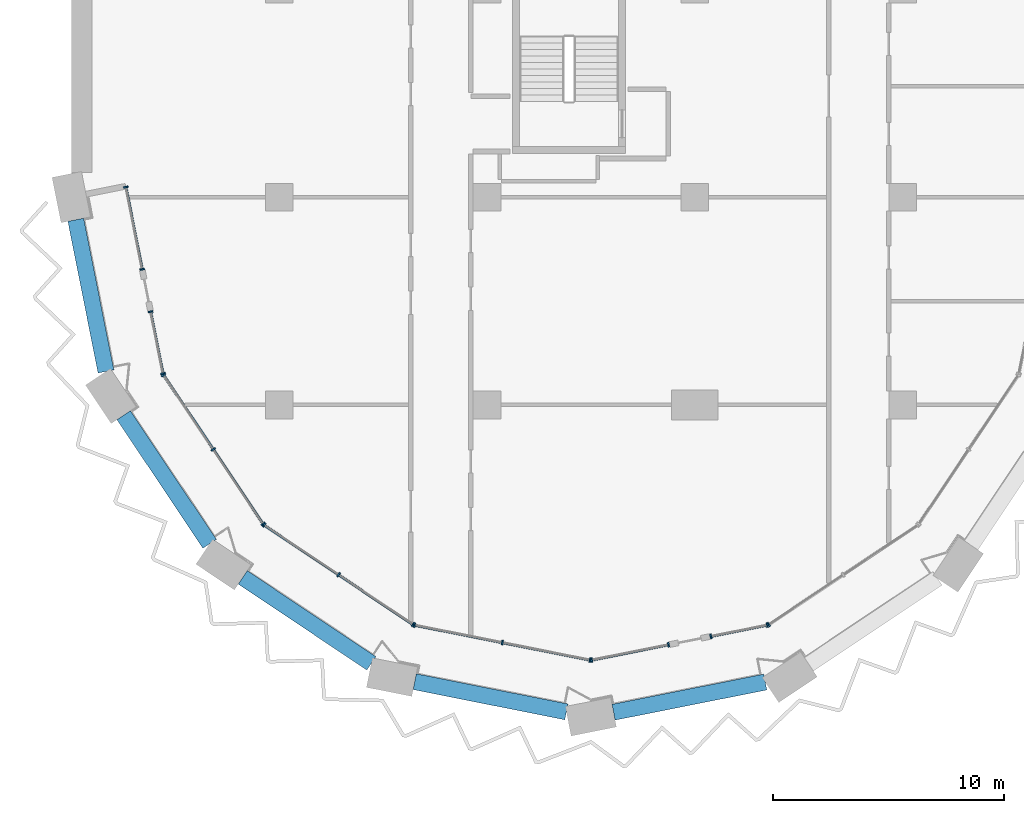
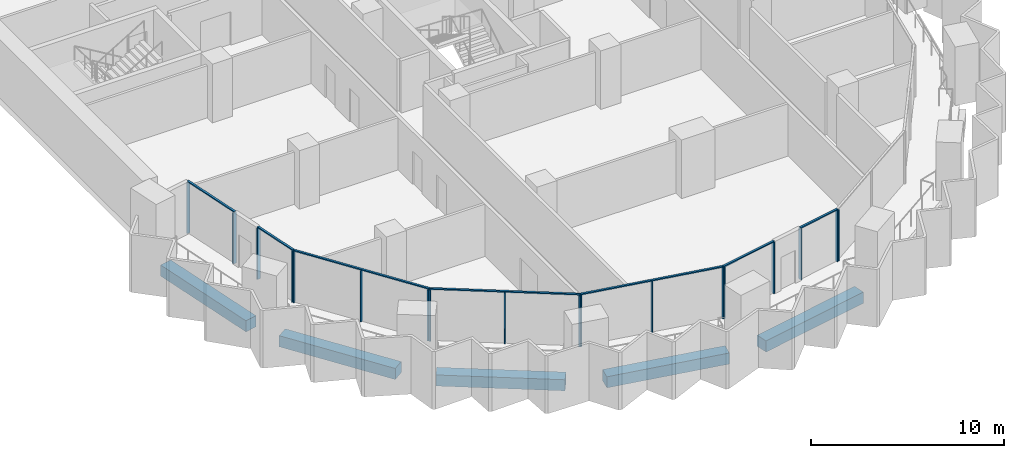
# One storey, part 2 of 22: 25 members, 5 beams, 8 elements without a shape of their own.
"""IFC4 building model written with IfcOpenShell, lengths in metres."""

from ifc_helpers import new_model, si_unit, direction, frame, origin, origin_2d, place, context, subcontext, project, spatial, rectangle, extrude, material, material_profile, profile_set, type_object, element, aggregate, save


model = new_model("IFC4")

# Units and contexts
model_context = context("Model", 3, precision=1e-05, world=origin(), true_north=direction((0.0, 1.0)))
body_context = subcontext(model_context, "Body", "Model", "MODEL_VIEW")
ifc_project = project(units=[si_unit("LENGTHUNIT", "METRE"), si_unit("AREAUNIT", "SQUARE_METRE"), si_unit("VOLUMEUNIT", "CUBIC_METRE"), si_unit("PLANEANGLEUNIT", "RADIAN"), si_unit("MASSUNIT", "GRAM", prefix="KILO")], contexts=[model_context])

# Site, building, storey
site_placement = place(None, origin())
site = spatial("IfcSite", under=ifc_project, at=site_placement, CompositionType="ELEMENT")
building_placement = place(site_placement, origin())
building = spatial("IfcBuilding", under=site, at=building_placement, Name="Hunhe Ridgeline Campus", CompositionType="ELEMENT")
storey_placement = place(building_placement, frame((0.0, 0.0, 141.199951171875)))
storey = spatial("IfcBuildingStorey", under=building, at=storey_placement, Name="L35", CompositionType="ELEMENT", Elevation=141.199951171875)

# Curtain wall, members
ifc_material_1 = material(Name="Aluminium 6063", Category="aluminium")
curtain_wall_type = type_object("IfcCurtainWallType", Name="Curtain wall CW-5", PredefinedType="NOTDEFINED", material=ifc_material_1)
curtain_wall_1_placement = place(storey_placement, origin())
curtain_wall_1 = element("IfcCurtainWall", 1, at=curtain_wall_1_placement, inside=storey, type_object=curtain_wall_type, Name="Curtain wall 01", PredefinedType="NOTDEFINED")
ifc_material_profile_1 = material_profile(ifc_material_1, rectangle(XDim=0.199951171875, YDim=0.070068359375, at=origin_2d()))
ifc_profile_set_1 = profile_set([ifc_material_profile_1], Name="Aluminium 6063")
member_type_1 = type_object("IfcMemberType", Name="CW-5 aluminium mullion", PredefinedType="MULLION", material=ifc_profile_set_1)
member_1_placement = place(storey_placement, frame((2.361572265625, 27.434326171875, 0.0), z_axis=(0.0, 0.0, 1.0), x_axis=(0.980784284924, 0.195095326561, 0.0)))
member_1 = element("IfcMember", 2, at=member_1_placement, type_object=member_type_1, Name="CW-5 mullion 1", PredefinedType="MULLION", context=body_context, shape_type="SweptSolid", body=[
    extrude(rectangle(XDim=0.199951171875, YDim=0.070068359375, at=origin_2d()), origin(), (0.0, 0.0, 1.0), 3.22998046875),
])
member_2_placement = place(storey_placement, frame((3.070068359375, 23.873291015625, 0.0), z_axis=(0.0, 0.0, 1.0), x_axis=(0.980784284924, 0.195095326561, 0.0)))
member_2 = element("IfcMember", 3, at=member_2_placement, type_object=member_type_1, Name="CW-5 mullion 2", PredefinedType="MULLION", context=body_context, shape_type="SweptSolid", body=[
    extrude(rectangle(XDim=0.199951171875, YDim=0.070068359375, at=origin_2d()), origin(), (0.0, 0.0, 1.0), 3.22998046875),
])

curtain_wall_2_placement = place(storey_placement, origin())
curtain_wall_2 = element("IfcCurtainWall", 4, at=curtain_wall_2_placement, inside=storey, type_object=curtain_wall_type, Name="Curtain wall 02", PredefinedType="NOTDEFINED")
member_3_placement = place(storey_placement, frame((3.434814453125, 22.0390625, 0.0), z_axis=(0.0, 0.0, 1.0), x_axis=(0.980784297053, 0.195095265587, 0.0)))
member_3 = element("IfcMember", 5, at=member_3_placement, type_object=member_type_1, Name="CW-5 mullion 1", PredefinedType="MULLION", context=body_context, shape_type="SweptSolid", body=[
    extrude(rectangle(XDim=0.199951171875, YDim=0.070068359375, at=origin_2d()), origin(), (0.0, 0.0, 1.0), 3.22998046875),
])
member_4_placement = place(storey_placement, frame((3.967529296875, 19.36083984375, 0.0), z_axis=(0.0, 0.0, 1.0), x_axis=(0.980784297053, 0.195095265587, 0.0)))
member_4 = element("IfcMember", 6, at=member_4_placement, type_object=member_type_1, Name="CW-5 mullion 2", PredefinedType="MULLION", context=body_context, shape_type="SweptSolid", body=[
    extrude(rectangle(XDim=0.199951171875, YDim=0.070068359375, at=origin_2d()), origin(), (0.0, 0.0, 1.0), 3.22998046875),
])

curtain_wall_3_placement = place(storey_placement, origin())
curtain_wall_3 = element("IfcCurtainWall", 7, at=curtain_wall_3_placement, inside=storey, type_object=curtain_wall_type, Name="Curtain wall 03", PredefinedType="NOTDEFINED")
member_5_placement = place(storey_placement, frame((3.993896484375, 19.29736328125, 0.0), z_axis=(0.0, 0.0, 1.0), x_axis=(0.831469584522, 0.555570274596, 0.0)))
member_5 = element("IfcMember", 8, at=member_5_placement, type_object=member_type_1, Name="CW-5 mullion 1", PredefinedType="MULLION", context=body_context, shape_type="SweptSolid", body=[
    extrude(rectangle(XDim=0.199951171875, YDim=0.070068359375, at=origin_2d()), origin(), (0.0, 0.0, 1.0), 3.22998046875),
])
member_6_placement = place(storey_placement, frame((6.147705078125, 16.07373046875, 0.0), z_axis=(0.0, 0.0, 1.0), x_axis=(0.831469584522, 0.555570274596, 0.0)))
member_6 = element("IfcMember", 9, at=member_6_placement, type_object=member_type_1, Name="CW-5 mullion 2", PredefinedType="MULLION", context=body_context, shape_type="SweptSolid", body=[
    extrude(rectangle(XDim=0.199951171875, YDim=0.070068359375, at=origin_2d()), origin(), (0.0, 0.0, 1.0), 3.22998046875),
])
member_7_placement = place(storey_placement, frame((8.3017578125, 12.850341796875, 0.0), z_axis=(0.0, 0.0, 1.0), x_axis=(0.831469584522, 0.555570274596, 0.0)))
member_7 = element("IfcMember", 10, at=member_7_placement, type_object=member_type_1, Name="CW-5 mullion 3", PredefinedType="MULLION", context=body_context, shape_type="SweptSolid", body=[
    extrude(rectangle(XDim=0.199951171875, YDim=0.070068359375, at=origin_2d()), origin(), (0.0, 0.0, 1.0), 3.22998046875),
])

curtain_wall_4_placement = place(storey_placement, origin())
curtain_wall_4 = element("IfcCurtainWall", 11, at=curtain_wall_4_placement, inside=storey, type_object=curtain_wall_type, Name="Curtain wall 04", PredefinedType="NOTDEFINED")
member_8_placement = place(storey_placement, frame((8.350341796875, 12.8017578125, 0.0), z_axis=(0.0, 0.0, 1.0), x_axis=(0.555570274596, 0.831469584522, 0.0)))
member_8 = element("IfcMember", 12, at=member_8_placement, type_object=member_type_1, Name="CW-5 mullion 1", PredefinedType="MULLION", context=body_context, shape_type="SweptSolid", body=[
    extrude(rectangle(XDim=0.199951171875, YDim=0.070068359375, at=origin_2d()), origin(), (0.0, 0.0, 1.0), 3.22998046875),
])
member_9_placement = place(storey_placement, frame((11.57373046875, 10.647705078125, 0.0), z_axis=(0.0, 0.0, 1.0), x_axis=(0.555570274596, 0.831469584522, 0.0)))
member_9 = element("IfcMember", 13, at=member_9_placement, type_object=member_type_1, Name="CW-5 mullion 2", PredefinedType="MULLION", context=body_context, shape_type="SweptSolid", body=[
    extrude(rectangle(XDim=0.199951171875, YDim=0.070068359375, at=origin_2d()), origin(), (0.0, 0.0, 1.0), 3.22998046875),
])
member_10_placement = place(storey_placement, frame((14.79736328125, 8.493896484375, 0.0), z_axis=(0.0, 0.0, 1.0), x_axis=(0.555570274596, 0.831469584522, 0.0)))
member_10 = element("IfcMember", 14, at=member_10_placement, type_object=member_type_1, Name="CW-5 mullion 3", PredefinedType="MULLION", context=body_context, shape_type="SweptSolid", body=[
    extrude(rectangle(XDim=0.199951171875, YDim=0.070068359375, at=origin_2d()), origin(), (0.0, 0.0, 1.0), 3.22998046875),
])

curtain_wall_5_placement = place(storey_placement, origin())
curtain_wall_5 = element("IfcCurtainWall", 15, at=curtain_wall_5_placement, inside=storey, type_object=curtain_wall_type, Name="Curtain wall 05", PredefinedType="NOTDEFINED")
member_11_placement = place(storey_placement, frame((14.86083984375, 8.467529296875, 0.0), z_axis=(0.0, 0.0, 1.0), x_axis=(0.195090347539, 0.980785275326, 0.0)))
member_11 = element("IfcMember", 16, at=member_11_placement, type_object=member_type_1, Name="CW-5 mullion 1", PredefinedType="MULLION", context=body_context, shape_type="SweptSolid", body=[
    extrude(rectangle(XDim=0.199951171875, YDim=0.070068359375, at=origin_2d()), origin(), (0.0, 0.0, 1.0), 3.22998046875),
])
member_12_placement = place(storey_placement, frame((18.663330078125, 7.711181640625, 0.0), z_axis=(0.0, 0.0, 1.0), x_axis=(0.195090347539, 0.980785275326, 0.0)))
member_12 = element("IfcMember", 17, at=member_12_placement, type_object=member_type_1, Name="CW-5 mullion 2", PredefinedType="MULLION", context=body_context, shape_type="SweptSolid", body=[
    extrude(rectangle(XDim=0.199951171875, YDim=0.070068359375, at=origin_2d()), origin(), (0.0, 0.0, 1.0), 3.22998046875),
])
member_13_placement = place(storey_placement, frame((22.465576171875, 6.954833984375, 0.0), z_axis=(0.0, 0.0, 1.0), x_axis=(0.195090347539, 0.980785275326, 0.0)))
member_13 = element("IfcMember", 18, at=member_13_placement, type_object=member_type_1, Name="CW-5 mullion 3", PredefinedType="MULLION", context=body_context, shape_type="SweptSolid", body=[
    extrude(rectangle(XDim=0.199951171875, YDim=0.070068359375, at=origin_2d()), origin(), (0.0, 0.0, 1.0), 3.22998046875),
])

curtain_wall_6_placement = place(storey_placement, origin())
curtain_wall_6 = element("IfcCurtainWall", 19, at=curtain_wall_6_placement, inside=storey, type_object=curtain_wall_type, Name="Curtain wall 06", PredefinedType="NOTDEFINED")
member_14_placement = place(storey_placement, frame((22.534423828125, 6.954833984375, 0.0), z_axis=(0.0, 0.0, 1.0), x_axis=(-0.19509037034, 0.980785270791, 0.0)))
member_14 = element("IfcMember", 20, at=member_14_placement, type_object=member_type_1, Name="CW-5 mullion 1", PredefinedType="MULLION", context=body_context, shape_type="SweptSolid", body=[
    extrude(rectangle(XDim=0.199951171875, YDim=0.070068359375, at=origin_2d()), origin(), (0.0, 0.0, 1.0), 3.22998046875),
])
member_15_placement = place(storey_placement, frame((25.861083984375, 7.61669921875, 0.0), z_axis=(0.0, 0.0, 1.0), x_axis=(-0.19509037034, 0.980785270791, 0.0)))
member_15 = element("IfcMember", 21, at=member_15_placement, type_object=member_type_1, Name="CW-5 mullion 2", PredefinedType="MULLION", context=body_context, shape_type="SweptSolid", body=[
    extrude(rectangle(XDim=0.199951171875, YDim=0.070068359375, at=origin_2d()), origin(), (0.0, 0.0, 1.0), 3.22998046875),
])

curtain_wall_7_placement = place(storey_placement, origin())
curtain_wall_7 = element("IfcCurtainWall", 22, at=curtain_wall_7_placement, inside=storey, type_object=curtain_wall_type, Name="Curtain wall 07", PredefinedType="NOTDEFINED")
member_16_placement = place(storey_placement, frame((27.695068359375, 7.9814453125, 0.0), z_axis=(0.0, 0.0, 1.0), x_axis=(-0.195090514627, 0.980785242091, 0.0)))
member_16 = element("IfcMember", 23, at=member_16_placement, type_object=member_type_1, Name="CW-5 mullion 1", PredefinedType="MULLION", context=body_context, shape_type="SweptSolid", body=[
    extrude(rectangle(XDim=0.199951171875, YDim=0.070068359375, at=origin_2d()), origin(), (0.0, 0.0, 1.0), 3.22998046875),
])
member_17_placement = place(storey_placement, frame((30.13916015625, 8.467529296875, 0.0), z_axis=(0.0, 0.0, 1.0), x_axis=(-0.195090514627, 0.980785242091, 0.0)))
member_17 = element("IfcMember", 24, at=member_17_placement, type_object=member_type_1, Name="CW-5 mullion 2", PredefinedType="MULLION", context=body_context, shape_type="SweptSolid", body=[
    extrude(rectangle(XDim=0.199951171875, YDim=0.070068359375, at=origin_2d()), origin(), (0.0, 0.0, 1.0), 3.22998046875),
])

# Curtain wall, member
curtain_wall_8_placement = place(storey_placement, origin())
curtain_wall_8 = element("IfcCurtainWall", 25, at=curtain_wall_8_placement, inside=storey, type_object=curtain_wall_type, Name="Curtain wall 08", PredefinedType="NOTDEFINED")
member_18_placement = place(storey_placement, frame((30.20263671875, 8.493896484375, 0.0), z_axis=(0.0, 0.0, 1.0), x_axis=(-0.555570274596, 0.831469584522, 0.0)))
member_18 = element("IfcMember", 26, at=member_18_placement, type_object=member_type_1, Name="CW-5 mullion 1", PredefinedType="MULLION", context=body_context, shape_type="SweptSolid", body=[
    extrude(rectangle(XDim=0.199951171875, YDim=0.070068359375, at=origin_2d()), origin(), (0.0, 0.0, 1.0), 3.22998046875),
])
aggregate(curtain_wall_8, [member_18])

# Member
ifc_material_profile_2 = material_profile(ifc_material_1, rectangle(XDim=0.1201171875, YDim=0.070068359375, at=origin_2d()))
ifc_profile_set_2 = profile_set([ifc_material_profile_2], Name="Aluminium 6063")
member_type_2 = type_object("IfcMemberType", Name="CW-5 aluminium transom", PredefinedType="USERDEFINED", material=ifc_profile_set_2)
member_19_placement = place(storey_placement, frame((2.354736328125, 27.46875, 3.26513671875), z_axis=(0.195126549745, -0.980778073564, 0.0), x_axis=(0.980778073564, 0.195126549745, 0.0)))
member_19 = element("IfcMember", 27, at=member_19_placement, type_object=member_type_2, Name="CW-5 transom 1", ObjectType="TRANSOM", PredefinedType="USERDEFINED", context=body_context, shape_type="SweptSolid", body=[
    extrude(rectangle(XDim=0.1201171875, YDim=0.070068359375, at=origin_2d()), origin(), (0.0, 0.0, 1.0), 3.700927734375),
])

aggregate(curtain_wall_1, [member_19, member_1, member_2])

member_20_placement = place(storey_placement, frame((3.427978515625, 22.073486328125, 3.26513671875), z_axis=(0.195076742145, -0.98078798151, 0.0), x_axis=(0.98078798151, 0.195076742145, 0.0)))
member_20 = element("IfcMember", 28, at=member_20_placement, type_object=member_type_2, Name="CW-5 transom 1", ObjectType="TRANSOM", PredefinedType="USERDEFINED", context=body_context, shape_type="SweptSolid", body=[
    extrude(rectangle(XDim=0.1201171875, YDim=0.070068359375, at=origin_2d()), origin(), (0.0, 0.0, 1.0), 2.80078125),
])

aggregate(curtain_wall_2, [member_20, member_3, member_4])

member_21_placement = place(storey_placement, frame((3.974365234375, 19.326416015625, 3.26513671875), z_axis=(0.5555640203, -0.831473763475, 0.0), x_axis=(0.831473763475, 0.5555640203, 0.0)))
member_21 = element("IfcMember", 29, at=member_21_placement, type_object=member_type_2, Name="CW-5 transom 1", ObjectType="TRANSOM", PredefinedType="USERDEFINED", context=body_context, shape_type="SweptSolid", body=[
    extrude(rectangle(XDim=0.1201171875, YDim=0.070068359375, at=origin_2d()), origin(), (0.0, 0.0, 1.0), 7.823974609375),
])

aggregate(curtain_wall_3, [member_21, member_5, member_6, member_7])

member_22_placement = place(storey_placement, frame((8.321044921875, 12.821044921875, 3.26513671875), z_axis=(0.831473763475, -0.5555640203, 0.0), x_axis=(0.5555640203, 0.831473763475, 0.0)))
member_22 = element("IfcMember", 30, at=member_22_placement, type_object=member_type_2, Name="CW-5 transom 1", ObjectType="TRANSOM", PredefinedType="USERDEFINED", context=body_context, shape_type="SweptSolid", body=[
    extrude(rectangle(XDim=0.1201171875, YDim=0.070068359375, at=origin_2d()), origin(), (0.0, 0.0, 1.0), 7.823974609375),
])

aggregate(curtain_wall_4, [member_22, member_8, member_9, member_10])

member_23_placement = place(storey_placement, frame((14.826416015625, 8.474365234375, 3.26513671875), z_axis=(0.980785367689, -0.195089883198, 0.0), x_axis=(0.195089883198, 0.980785367689, 0.0)))
member_23 = element("IfcMember", 31, at=member_23_placement, type_object=member_type_2, Name="CW-5 transom 1", ObjectType="TRANSOM", PredefinedType="USERDEFINED", context=body_context, shape_type="SweptSolid", body=[
    extrude(rectangle(XDim=0.1201171875, YDim=0.070068359375, at=origin_2d()), origin(), (0.0, 0.0, 1.0), 7.823974609375),
])

aggregate(curtain_wall_5, [member_23, member_11, member_12, member_13])

member_24_placement = place(storey_placement, frame((22.5, 6.947998046875, 3.26513671875), z_axis=(0.980778171596, 0.195126057004, 0.0), x_axis=(-0.195126057004, 0.980778171596, 0.0)))
member_24 = element("IfcMember", 32, at=member_24_placement, type_object=member_type_2, Name="CW-5 transom 1", ObjectType="TRANSOM", PredefinedType="USERDEFINED", context=body_context, shape_type="SweptSolid", body=[
    extrude(rectangle(XDim=0.1201171875, YDim=0.070068359375, at=origin_2d()), origin(), (0.0, 0.0, 1.0), 3.462158203125),
])

aggregate(curtain_wall_6, [member_24, member_14, member_15])

member_25_placement = place(storey_placement, frame((27.660888671875, 7.974609375, 3.26513671875), z_axis=(0.980789038007, 0.195071430315, 0.0), x_axis=(-0.195071430315, 0.980789038007, 0.0)))
member_25 = element("IfcMember", 33, at=member_25_placement, type_object=member_type_2, Name="CW-5 transom 1", ObjectType="TRANSOM", PredefinedType="USERDEFINED", context=body_context, shape_type="SweptSolid", body=[
    extrude(rectangle(XDim=0.1201171875, YDim=0.070068359375, at=origin_2d()), origin(), (0.0, 0.0, 1.0), 2.56201171875),
])

aggregate(curtain_wall_7, [member_25, member_16, member_17])

# Beams
ifc_material_2 = material(Name="Concrete C60", Category="concrete")
ifc_material_profile_3 = material_profile(ifc_material_2, rectangle(XDim=0.699951171875, YDim=0.699951171875, at=origin_2d()))
ifc_profile_set_3 = profile_set([ifc_material_profile_3], Name="Concrete C60")
beam_type = type_object("IfcBeamType", Name="RC spandrel beam 700x700 Concrete C60", PredefinedType="SPANDREL", material=ifc_profile_set_3)
for number, where, z_axis, x_axis, name in (
    (34, (0.195068359375, 26.019287109375, -0.599853515625), (0.195078418929, -0.980787647999, 0.0), (0.980787647999, 0.195078418929, 0.0), "Spandrel beam B2-1 L35"),
    (35, (2.268310546875, 17.55810546875, -0.599853515625), (0.555566447474, -0.831472141711, 0.0), (0.831472141711, 0.555566447474, 0.0), "Spandrel beam B2-2 L35"),
    (36, (7.421630859375, 10.534423828125, -0.599853515625), (0.831472141711, -0.555566447474, 0.0), (0.555566447474, 0.831472141711, 0.0), "Spandrel beam B2-3 L35"),
    (37, (14.870361328125, 6.017578125, -0.599853515625), (0.980787647999, -0.195078418929, 0.0), (0.195078418929, 0.980787647999, 0.0), "Spandrel beam B2-4 L35"),
    (38, (23.480712890625, 4.695068359375, -0.599853515625), (0.980787647999, 0.195078418929, 0.0), (-0.195078418929, 0.980787647999, 0.0), "Spandrel beam B2-5 L35"),
):
    element("IfcBeam", number, at=place(storey_placement, frame(where, z_axis=z_axis, x_axis=x_axis)), inside=storey, type_object=beam_type, Name=name, PredefinedType="SPANDREL", context=body_context, shape_type="SweptSolid", body=[
        extrude(rectangle(XDim=0.699951171875, YDim=0.699951171875, at=origin_2d()), origin(), (0.0, 0.0, 1.0), 6.69677734375),
    ])

save(model, "model.ifc")
